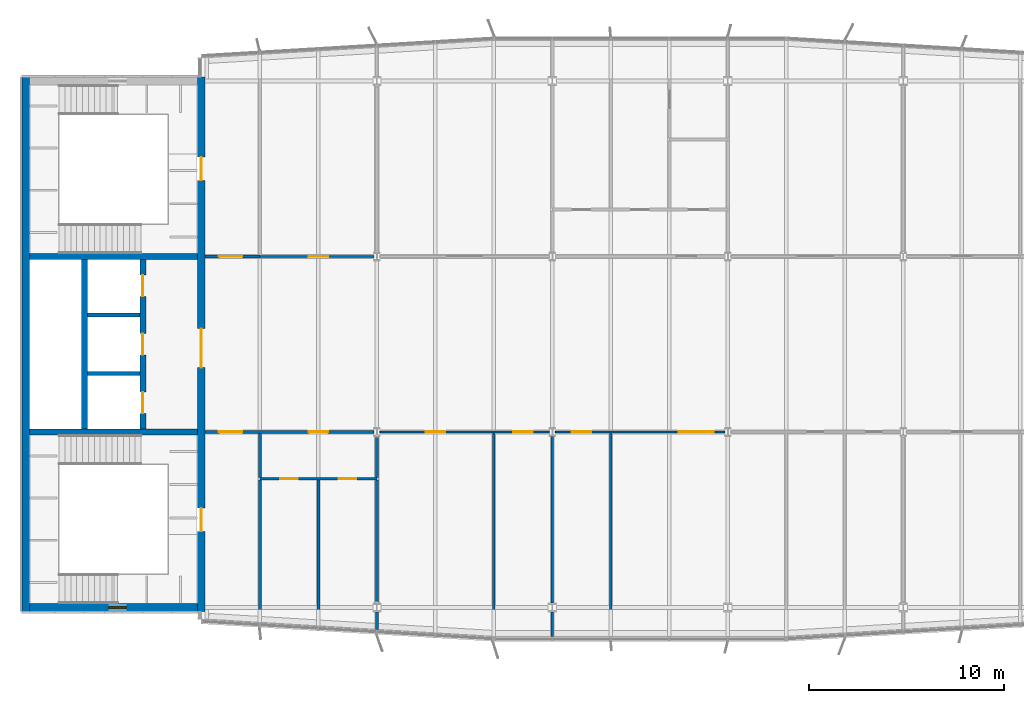
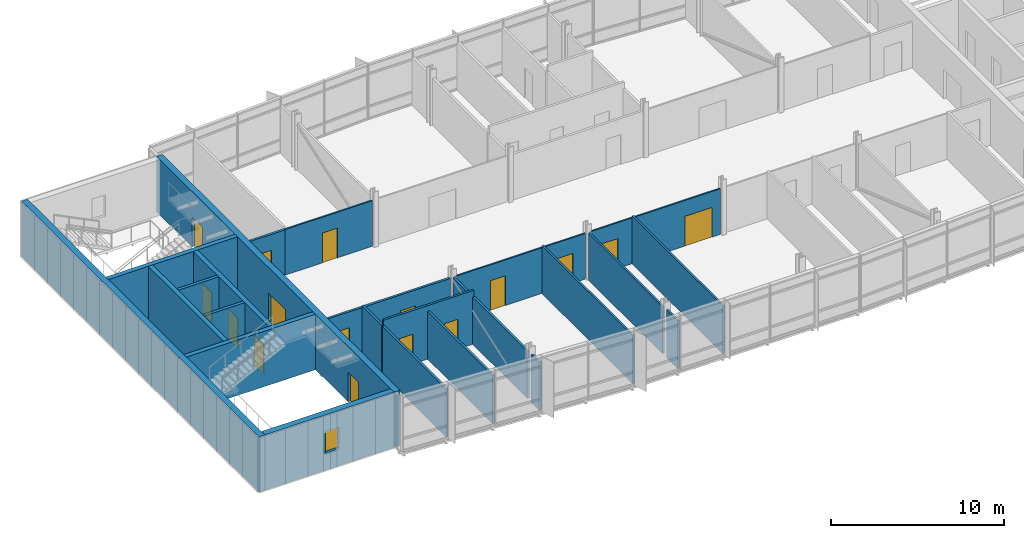
# One storey, part 16 of 21: 25 walls, 16 doors, 1 window, 17 openings.
"""IFC4 building model written with IfcOpenShell, lengths in metres."""

from ifc_helpers import new_model, si_unit, direction, frame, frame_2d, origin, place, context, subcontext, project, spatial, rectangle, extrude, material, layer, layer_set, type_object, element, fill, save


model = new_model("IFC4")

# Units and contexts
model_context = context("Model", 3, precision=1e-05, world=origin(), true_north=direction((0.0, 1.0)))
body_context = subcontext(model_context, "Body", "Model", "MODEL_VIEW")
ifc_project = project(units=[si_unit("LENGTHUNIT", "METRE"), si_unit("AREAUNIT", "SQUARE_METRE"), si_unit("VOLUMEUNIT", "CUBIC_METRE"), si_unit("PLANEANGLEUNIT", "RADIAN"), si_unit("MASSUNIT", "GRAM", prefix="KILO")], contexts=[model_context])

# Site, building, storey
site_placement = place(None, origin())
site = spatial("IfcSite", under=ifc_project, at=site_placement, CompositionType="ELEMENT")
building_placement = place(site_placement, origin())
building = spatial("IfcBuilding", under=site, at=building_placement, Name="Azimuth Sports and Learning Centre", CompositionType="ELEMENT")
storey_placement = place(building_placement, frame((0.0, 0.0, 48.0)))
storey = spatial("IfcBuildingStorey", under=building, at=storey_placement, Name="L10", CompositionType="ELEMENT", Elevation=48.0)

# Walls
ifc_material_1 = material(Name="Dense masonry blockwork", Category="masonry")
ifc_layer_1 = layer(ifc_material_1, 0.199951171875)
ifc_layer_set_1 = layer_set([ifc_layer_1], Name="Dense masonry blockwork")
wall_type_1 = type_object("IfcWallType", Name="Blockwork wall 200 EI 120", PredefinedType="SOLIDWALL", material=ifc_layer_set_1)
for number, where, z_axis, x_axis, name in (
    (1, (57.14990234375, 102.0, 0.0), (0.0, 0.0, 1.0), (1.0, 0.0, 0.0), "SD-W-1-L10"),
    (2, (57.14990234375, 105.0, 0.0), (0.0, 0.0, 1.0), (1.0, 0.0, 0.0), "SD-W-2-L10"),
):
    element("IfcWall", number, at=place(storey_placement, frame(where, z_axis=z_axis, x_axis=x_axis)), inside=storey, type_object=wall_type_1, Name=name, PredefinedType="SOLIDWALL", context=body_context, shape_type="SweptSolid", body=[
        extrude(rectangle(XDim=2.7001953125, YDim=0.199951171875, at=frame_2d((1.35009765625, 0.0))), origin(), (0.0, 0.0, 1.0), 3.89990234375),
    ])

# Wall, openings, doors
ifc_material_2 = material(Name="Gypsum board on steel studs", Category="steel")
ifc_layer_2 = layer(ifc_material_2, 0.10009765625)
ifc_layer_set_2 = layer_set([ifc_layer_2], Name="Gypsum board on steel studs")
wall_type_2 = type_object("IfcWallType", Name="Partition 100 EI 30", PredefinedType="PARTITIONING", material=ifc_layer_set_2)
wall_1_placement = place(storey_placement, frame((72.153564453125, 99.0, 0.0), z_axis=(0.0, 0.0, 1.0), x_axis=(1.0, 0.0, 0.0)))
wall_1 = element("IfcWall", 3, at=wall_1_placement, inside=storey, type_object=wall_type_2, Name="Partition Music Room 10.10 / Practice Room 10.11", PredefinedType="PARTITIONING", context=body_context, shape_type="SweptSolid", body=[
    extrude(rectangle(XDim=8.69287109375, YDim=0.10009765625, at=frame_2d((4.346435546875, 0.0))), origin(), (0.0, 0.0, 1.0), 3.219970703125),
])
opening_1_placement = place(wall_1_placement, frame((2.346435546875, 0.0, 0.0)))
opening_1 = element("IfcOpeningElement", 4, at=opening_1_placement, cuts=wall_1, Name="Opening D10-016", PredefinedType="OPENING", context=body_context, shape_type="SweptSolid", body=[
    extrude(rectangle(XDim=1.0, YDim=2.10009765625, at=frame_2d((0.5, 1.050048828125))), frame((0.0, 0.06103515625, 0.0), z_axis=(0.0, -1.0, 0.0), x_axis=(1.0, 0.0, 0.0)), (0.0, 0.0, 1.0), 0.1220703125),
])
opening_2_placement = place(wall_1_placement, frame((6.846435546875, 0.0, 0.0)))
opening_2 = element("IfcOpeningElement", 5, at=opening_2_placement, cuts=wall_1, Name="Opening D10-017", PredefinedType="OPENING", context=body_context, shape_type="SweptSolid", body=[
    extrude(rectangle(XDim=1.0, YDim=2.10009765625, at=frame_2d((0.5, 1.050048828125))), frame((0.0, 0.06103515625, 0.0), z_axis=(0.0, -1.0, 0.0), x_axis=(1.0, 0.0, 0.0)), (0.0, 0.0, 1.0), 0.1220703125),
])
ifc_material_3 = material(Name="Painted steel door set", Category="steel")
door_type_1 = type_object("IfcDoorType", Name="Fire door FD30S 1000 x 2100", OperationType="NOTDEFINED", PredefinedType="DOOR", material=ifc_material_3)
door_1_placement = place(opening_1_placement, frame((1.0, 0.0, 0.0), z_axis=(0.0, 0.0, 1.0), x_axis=(-1.0, 0.0, 0.0)))
door_1 = element("IfcDoor", 6, at=door_1_placement, inside=storey, type_object=door_type_1, Name="Door Music Room 10.10 / Learning Street", OperationType="SINGLE_SWING_RIGHT", OverallHeight=2.10009765625, OverallWidth=1.0, PredefinedType="DOOR", context=body_context, shape_type="SweptSolid", body=[
    extrude(rectangle(XDim=1.0, YDim=2.10009765625, at=frame_2d((0.5, 1.050048828125))), frame((0.0, 0.02490234375, 0.0), z_axis=(0.0, -1.0, 0.0), x_axis=(1.0, 0.0, 0.0)), (0.0, 0.0, 1.0), 0.050048828125),
])
fill(opening_1, door_1)
door_2_placement = place(opening_2_placement, frame((1.0, 0.0, 0.0), z_axis=(0.0, 0.0, 1.0), x_axis=(-1.0, 0.0, 0.0)))
door_2 = element("IfcDoor", 7, at=door_2_placement, inside=storey, type_object=door_type_1, Name="Door Practice Room 10.11 / Learning Street", OperationType="SINGLE_SWING_LEFT", OverallHeight=2.10009765625, OverallWidth=1.0, PredefinedType="DOOR", context=body_context, shape_type="SweptSolid", body=[
    extrude(rectangle(XDim=1.0, YDim=2.10009765625, at=frame_2d((0.5, 1.050048828125))), frame((0.0, 0.02490234375, 0.0), z_axis=(0.0, -1.0, 0.0), x_axis=(1.0, 0.0, 0.0)), (0.0, 0.0, 1.0), 0.050048828125),
])
fill(opening_2, door_2)

wall_2_placement = place(storey_placement, frame((81.153564453125, 99.0, 0.0), z_axis=(0.0, 0.0, 1.0), x_axis=(1.0, 0.0, 0.0)))
wall_2 = element("IfcWall", 8, at=wall_2_placement, inside=storey, type_object=wall_type_2, Name="Partition Music Room 10.10 / Practice Room 10.11", PredefinedType="PARTITIONING", context=body_context, shape_type="SweptSolid", body=[
    extrude(rectangle(XDim=8.69287109375, YDim=0.10009765625, at=frame_2d((4.346435546875, 0.0))), origin(), (0.0, 0.0, 1.0), 3.219970703125),
])
opening_3_placement = place(wall_2_placement, frame((0.846435546875, 0.0, 0.0)))
opening_3 = element("IfcOpeningElement", 9, at=opening_3_placement, cuts=wall_2, Name="Opening D10-018", PredefinedType="OPENING", context=body_context, shape_type="SweptSolid", body=[
    extrude(rectangle(XDim=1.0, YDim=2.10009765625, at=frame_2d((0.5, 1.050048828125))), frame((0.0, 0.06103515625, 0.0), z_axis=(0.0, -1.0, 0.0), x_axis=(1.0, 0.0, 0.0)), (0.0, 0.0, 1.0), 0.1220703125),
])
opening_4_placement = place(wall_2_placement, frame((6.321533203125, 0.0, 0.0)))
opening_4 = element("IfcOpeningElement", 10, at=opening_4_placement, cuts=wall_2, Name="Opening D10-019", PredefinedType="OPENING", context=body_context, shape_type="SweptSolid", body=[
    extrude(rectangle(XDim=1.800048828125, YDim=2.10009765625, at=frame_2d((0.89990234375, 1.050048828125))), frame((0.0, 0.06103515625, 0.0), z_axis=(0.0, -1.0, 0.0), x_axis=(1.0, 0.0, 0.0)), (0.0, 0.0, 1.0), 0.1220703125),
])
door_3_placement = place(opening_3_placement, frame((1.0, 0.0, 0.0), z_axis=(0.0, 0.0, 1.0), x_axis=(-1.0, 0.0, 0.0)))
door_3 = element("IfcDoor", 11, at=door_3_placement, inside=storey, type_object=door_type_1, Name="Door Practice Room 10.12 / Learning Street", OperationType="SINGLE_SWING_RIGHT", OverallHeight=2.10009765625, OverallWidth=1.0, PredefinedType="DOOR", context=body_context, shape_type="SweptSolid", body=[
    extrude(rectangle(XDim=1.0, YDim=2.10009765625, at=frame_2d((0.5, 1.050048828125))), frame((0.0, 0.02490234375, 0.0), z_axis=(0.0, -1.0, 0.0), x_axis=(1.0, 0.0, 0.0)), (0.0, 0.0, 1.0), 0.050048828125),
])
fill(opening_3, door_3)
ifc_material_4 = material(Name="Painted steel door set", Category="steel")
door_type_2 = type_object("IfcDoorType", Name="Fire door FD30S 1800 x 2100 double leaf", OperationType="DOUBLE_DOOR_SINGLE_SWING", PredefinedType="DOOR", material=ifc_material_4)
door_4_placement = place(opening_4_placement, frame((1.800048828125, 0.0, 0.0), z_axis=(0.0, 0.0, 1.0), x_axis=(-1.0, 0.0, 0.0)))
door_4 = element("IfcDoor", 12, at=door_4_placement, inside=storey, type_object=door_type_2, Name="Door Drama Studio 10.13 / Learning Street", OperationType="DOUBLE_DOOR_SINGLE_SWING", OverallHeight=2.10009765625, OverallWidth=1.800048828125, PredefinedType="DOOR", context=body_context, shape_type="SweptSolid", body=[
    extrude(rectangle(XDim=1.800048828125, YDim=2.10009765625, at=frame_2d((0.89990234375, 1.050048828125))), frame((0.0, 0.02490234375, 0.0), z_axis=(0.0, -1.0, 0.0), x_axis=(1.0, 0.0, 0.0)), (0.0, 0.0, 1.0), 0.050048828125),
])
fill(opening_4, door_4)

# Wall, opening, door
wall_3_placement = place(storey_placement, frame((66.0, 108.0, 0.0), z_axis=(0.0, 0.0, 1.0), x_axis=(1.0, 0.0, 0.0)))
wall_3 = element("IfcWall", 13, at=wall_3_placement, inside=storey, type_object=wall_type_2, Name="Partition Classroom 10.17 / Music Technology Studio 10.18", PredefinedType="PARTITIONING", context=body_context, shape_type="SweptSolid", body=[
    extrude(rectangle(XDim=5.846435546875, YDim=0.10009765625, at=frame_2d((2.92333984375, 0.0))), origin(), (0.0, 0.0, 1.0), 3.219970703125),
])
opening_5_placement = place(wall_3_placement, frame((2.5, 0.0, 0.0)))
opening_5 = element("IfcOpeningElement", 14, at=opening_5_placement, cuts=wall_3, Name="Opening D10-023", PredefinedType="OPENING", context=body_context, shape_type="SweptSolid", body=[
    extrude(rectangle(XDim=1.0, YDim=2.10009765625, at=frame_2d((0.5, 1.050048828125))), frame((0.0, 0.06103515625, 0.0), z_axis=(0.0, -1.0, 0.0), x_axis=(1.0, 0.0, 0.0)), (0.0, 0.0, 1.0), 0.1220703125),
])
door_5_placement = place(opening_5_placement, origin())
door_5 = element("IfcDoor", 15, at=door_5_placement, inside=storey, type_object=door_type_1, Name="Door Classroom 10.17 / Learning Street", OperationType="SINGLE_SWING_RIGHT", OverallHeight=2.10009765625, OverallWidth=1.0, PredefinedType="DOOR", context=body_context, shape_type="SweptSolid", body=[
    extrude(rectangle(XDim=1.0, YDim=2.10009765625, at=frame_2d((0.5, 1.050048828125))), frame((0.0, 0.02490234375, 0.0), z_axis=(0.0, -1.0, 0.0), x_axis=(1.0, 0.0, 0.0)), (0.0, 0.0, 1.0), 0.050048828125),
])
fill(opening_5, door_5)

# Walls
ifc_material_5 = material(Name="Gypsum board on steel studs, acoustic", Category="steel")
ifc_layer_3 = layer(ifc_material_5, 0.125)
ifc_layer_set_3 = layer_set([ifc_layer_3], Name="Gypsum board on steel studs, acoustic")
wall_type_3 = type_object("IfcWallType", Name="Partition 125 EI 60", PredefinedType="PARTITIONING", material=ifc_layer_set_3)
wall_4_placement = place(storey_placement, frame((78.0, 88.5, 0.0), z_axis=(0.0, 0.0, 1.0), x_axis=(0.0, 1.0, 0.0)))
element("IfcWall", 16, at=wall_4_placement, inside=storey, type_object=wall_type_3, Name="Partition Music Room 10.10 / Practice Room 10.11", PredefinedType="PARTITIONING", context=body_context, shape_type="SweptSolid", body=[
    extrude(rectangle(XDim=10.449951171875, YDim=0.125, at=frame_2d((5.22509765625, 0.0))), origin(), (0.0, 0.0, 1.0), 3.3701171875),
])
wall_5_placement = place(storey_placement, frame((81.0, 88.5, 0.0), z_axis=(0.0, 0.0, 1.0), x_axis=(0.0, 1.0, 0.0)))
element("IfcWall", 17, at=wall_5_placement, inside=storey, type_object=wall_type_3, Name="Partition Practice Room 10.11 / Practice Room 10.12", PredefinedType="PARTITIONING", context=body_context, shape_type="SweptSolid", body=[
    extrude(rectangle(XDim=1.2724609375, YDim=0.125, at=frame_2d((0.63623046875, 0.0))), origin(), (0.0, 0.0, 1.0), 3.3701171875),
])
wall_6_placement = place(storey_placement, frame((81.0, 90.2275390625, 0.0), z_axis=(0.0, 0.0, 1.0), x_axis=(0.0, 1.0, 0.0)))
element("IfcWall", 18, at=wall_6_placement, inside=storey, type_object=wall_type_3, Name="Partition Practice Room 10.11 / Practice Room 10.12", PredefinedType="PARTITIONING", context=body_context, shape_type="SweptSolid", body=[
    extrude(rectangle(XDim=8.556396484375, YDim=0.125, at=frame_2d((4.2783203125, 0.0))), origin(), (0.0, 0.0, 1.0), 3.320068359375),
])
wall_7_placement = place(storey_placement, frame((84.0, 88.5, 0.0), z_axis=(0.0, 0.0, 1.0), x_axis=(0.0, 1.0, 0.0)))
element("IfcWall", 19, at=wall_7_placement, inside=storey, type_object=wall_type_3, Name="Partition Practice Room 10.12 / Drama Studio 10.13", PredefinedType="PARTITIONING", context=body_context, shape_type="SweptSolid", body=[
    extrude(rectangle(XDim=10.449951171875, YDim=0.125, at=frame_2d((5.22509765625, 0.0))), origin(), (0.0, 0.0, 1.0), 3.3701171875),
])

# Wall, openings, doors
ifc_material_6 = material(Name="Lightweight blockwork, rendered", Category="masonry")
ifc_layer_4 = layer(ifc_material_6, 0.14990234375)
ifc_layer_set_4 = layer_set([ifc_layer_4], Name="Lightweight blockwork, rendered")
wall_type_4 = type_object("IfcWallType", Name="Partition 150 EI 60", PredefinedType="PARTITIONING", material=ifc_layer_set_4)
wall_8_placement = place(storey_placement, frame((66.0, 96.60009765625, 0.0), z_axis=(0.0, 0.0, 1.0), x_axis=(1.0, 0.0, 0.0)))
wall_8 = element("IfcWall", 20, at=wall_8_placement, inside=storey, type_object=wall_type_4, Name="Partition WC Lobby 10.07 / Men WC 10.08", PredefinedType="PARTITIONING", context=body_context, shape_type="SweptSolid", body=[
    extrude(rectangle(XDim=6.0, YDim=0.14990234375, at=frame_2d((3.0, 0.0))), origin(), (0.0, 0.0, 1.0), 3.77001953125),
])
opening_6_placement = place(wall_8_placement, frame((1.050048828125, 0.0, 0.0)))
opening_6 = element("IfcOpeningElement", 21, at=opening_6_placement, cuts=wall_8, Name="Opening D10-028", PredefinedType="OPENING", context=body_context, shape_type="SweptSolid", body=[
    extrude(rectangle(XDim=0.89990234375, YDim=2.10009765625, at=frame_2d((0.449951171875, 1.050048828125))), frame((0.0, 0.0859375, 0.0), z_axis=(0.0, -1.0, 0.0), x_axis=(1.0, 0.0, 0.0)), (0.0, 0.0, 1.0), 0.171875),
])
opening_7_placement = place(wall_8_placement, frame((4.050048828125, 0.0, 0.0)))
opening_7 = element("IfcOpeningElement", 22, at=opening_7_placement, cuts=wall_8, Name="Opening D10-029", PredefinedType="OPENING", context=body_context, shape_type="SweptSolid", body=[
    extrude(rectangle(XDim=0.89990234375, YDim=2.10009765625, at=frame_2d((0.449951171875, 1.050048828125))), frame((0.0, 0.0859375, 0.0), z_axis=(0.0, -1.0, 0.0), x_axis=(1.0, 0.0, 0.0)), (0.0, 0.0, 1.0), 0.171875),
])
ifc_material_7 = material(Name="Painted steel door set", Category="steel")
door_type_3 = type_object("IfcDoorType", Name="Fire door FD60 900 x 2100", OperationType="NOTDEFINED", PredefinedType="DOOR", material=ifc_material_7)
door_6_placement = place(opening_6_placement, origin())
door_6 = element("IfcDoor", 23, at=door_6_placement, inside=storey, type_object=door_type_3, Name="Door WC Lobby 10.07 / Men WC 10.08", OperationType="SINGLE_SWING_LEFT", OverallHeight=2.10009765625, OverallWidth=0.89990234375, PredefinedType="DOOR", context=body_context, shape_type="SweptSolid", body=[
    extrude(rectangle(XDim=0.89990234375, YDim=2.10009765625, at=frame_2d((0.449951171875, 1.050048828125))), frame((0.0, 0.02490234375, 0.0), z_axis=(0.0, -1.0, 0.0), x_axis=(1.0, 0.0, 0.0)), (0.0, 0.0, 1.0), 0.050048828125),
])
fill(opening_6, door_6)
door_7_placement = place(opening_7_placement, origin())
door_7 = element("IfcDoor", 24, at=door_7_placement, inside=storey, type_object=door_type_3, Name="Door WC Lobby 10.07 / Women WC 10.09", OperationType="SINGLE_SWING_RIGHT", OverallHeight=2.10009765625, OverallWidth=0.89990234375, PredefinedType="DOOR", context=body_context, shape_type="SweptSolid", body=[
    extrude(rectangle(XDim=0.89990234375, YDim=2.10009765625, at=frame_2d((0.449951171875, 1.050048828125))), frame((0.0, 0.02490234375, 0.0), z_axis=(0.0, -1.0, 0.0), x_axis=(1.0, 0.0, 0.0)), (0.0, 0.0, 1.0), 0.050048828125),
])
fill(opening_7, door_7)

wall_9_placement = place(storey_placement, frame((63.199951171875, 99.0, 0.0), z_axis=(0.0, 0.0, 1.0), x_axis=(1.0, 0.0, 0.0)))
wall_9 = element("IfcWall", 25, at=wall_9_placement, inside=storey, type_object=wall_type_4, Name="Partition Stair Lobby W1 10.01 / WC Lobby 10.07", PredefinedType="PARTITIONING", context=body_context, shape_type="SweptSolid", body=[
    extrude(rectangle(XDim=8.646484375, YDim=0.14990234375, at=frame_2d((4.3232421875, 0.0))), origin(), (0.0, 0.0, 1.0), 3.219970703125),
])
opening_8_placement = place(wall_9_placement, frame((0.699951171875, 0.0, 0.0)))
opening_8 = element("IfcOpeningElement", 26, at=opening_8_placement, cuts=wall_9, Name="Opening D10-011", PredefinedType="OPENING", context=body_context, shape_type="SweptSolid", body=[
    extrude(rectangle(XDim=1.199951171875, YDim=2.10009765625, at=frame_2d((0.60009765625, 1.050048828125))), frame((0.0, 0.0859375, 0.0), z_axis=(0.0, -1.0, 0.0), x_axis=(1.0, 0.0, 0.0)), (0.0, 0.0, 1.0), 0.171875),
])
opening_9_placement = place(wall_9_placement, frame((5.300048828125, 0.0, 0.0)))
opening_9 = element("IfcOpeningElement", 27, at=opening_9_placement, cuts=wall_9, Name="Opening D10-015", PredefinedType="OPENING", context=body_context, shape_type="SweptSolid", body=[
    extrude(rectangle(XDim=1.0, YDim=2.10009765625, at=frame_2d((0.5, 1.050048828125))), frame((0.0, 0.0859375, 0.0), z_axis=(0.0, -1.0, 0.0), x_axis=(1.0, 0.0, 0.0)), (0.0, 0.0, 1.0), 0.171875),
])
ifc_material_8 = material(Name="Painted steel door set", Category="steel")
door_type_4 = type_object("IfcDoorType", Name="Fire door FD60 1000 x 2100", OperationType="NOTDEFINED", PredefinedType="DOOR", material=ifc_material_8)
door_8_placement = place(opening_9_placement, frame((1.0, 0.0, 0.0), z_axis=(0.0, 0.0, 1.0), x_axis=(-1.0, 0.0, 0.0)))
door_8 = element("IfcDoor", 28, at=door_8_placement, inside=storey, type_object=door_type_4, Name="Door WC Lobby 10.07 / Learning Street", OperationType="SINGLE_SWING_LEFT", OverallHeight=2.10009765625, OverallWidth=1.0, PredefinedType="DOOR", context=body_context, shape_type="SweptSolid", body=[
    extrude(rectangle(XDim=1.0, YDim=2.10009765625, at=frame_2d((0.5, 1.050048828125))), frame((0.0, 0.02490234375, 0.0), z_axis=(0.0, -1.0, 0.0), x_axis=(1.0, 0.0, 0.0)), (0.0, 0.0, 1.0), 0.050048828125),
])
fill(opening_9, door_8)
ifc_material_9 = material(Name="Painted steel door set", Category="steel")
door_type_5 = type_object("IfcDoorType", Name="Fire door FD60 1200 x 2100", OperationType="NOTDEFINED", PredefinedType="DOOR", material=ifc_material_9)
door_9_placement = place(opening_8_placement, frame((1.199951171875, 0.0, 0.0), z_axis=(0.0, 0.0, 1.0), x_axis=(-1.0, 0.0, 0.0)))
door_9 = element("IfcDoor", 29, at=door_9_placement, inside=storey, type_object=door_type_5, Name="Door Stair Lobby W1 10.01 / Learning Street", OperationType="SINGLE_SWING_RIGHT", OverallHeight=2.10009765625, OverallWidth=1.199951171875, PredefinedType="DOOR", context=body_context, shape_type="SweptSolid", body=[
    extrude(rectangle(XDim=1.199951171875, YDim=2.10009765625, at=frame_2d((0.60009765625, 1.050048828125))), frame((0.0, 0.02490234375, 0.0), z_axis=(0.0, -1.0, 0.0), x_axis=(1.0, 0.0, 0.0)), (0.0, 0.0, 1.0), 0.050048828125),
])
fill(opening_8, door_9)

# Wall, opening, door
wall_10_placement = place(storey_placement, frame((63.199951171875, 108.0, 0.0), z_axis=(0.0, 0.0, 1.0), x_axis=(1.0, 0.0, 0.0)))
wall_10 = element("IfcWall", 30, at=wall_10_placement, inside=storey, type_object=wall_type_4, Name="Partition Stair Lobby W2 10.02 / Learning Street", PredefinedType="PARTITIONING", context=body_context, shape_type="SweptSolid", body=[
    extrude(rectangle(XDim=2.800048828125, YDim=0.14990234375, at=frame_2d((1.39990234375, 0.0))), origin(), (0.0, 0.0, 1.0), 3.219970703125),
])
opening_10_placement = place(wall_10_placement, frame((0.699951171875, 0.0, 0.0)))
opening_10 = element("IfcOpeningElement", 31, at=opening_10_placement, cuts=wall_10, Name="Opening D10-012", PredefinedType="OPENING", context=body_context, shape_type="SweptSolid", body=[
    extrude(rectangle(XDim=1.199951171875, YDim=2.10009765625, at=frame_2d((0.60009765625, 1.050048828125))), frame((0.0, 0.0859375, 0.0), z_axis=(0.0, -1.0, 0.0), x_axis=(1.0, 0.0, 0.0)), (0.0, 0.0, 1.0), 0.171875),
])
door_10_placement = place(opening_10_placement, origin())
door_10 = element("IfcDoor", 32, at=door_10_placement, inside=storey, type_object=door_type_5, Name="Door Stair Lobby W2 10.02 / Learning Street", OperationType="SINGLE_SWING_LEFT", OverallHeight=2.10009765625, OverallWidth=1.199951171875, PredefinedType="DOOR", context=body_context, shape_type="SweptSolid", body=[
    extrude(rectangle(XDim=1.199951171875, YDim=2.10009765625, at=frame_2d((0.60009765625, 1.050048828125))), frame((0.0, 0.02490234375, 0.0), z_axis=(0.0, -1.0, 0.0), x_axis=(1.0, 0.0, 0.0)), (0.0, 0.0, 1.0), 0.050048828125),
])
fill(opening_10, door_10)

# Walls
wall_11_placement = place(storey_placement, frame((66.0, 89.219970703125, 0.0), z_axis=(0.0, 0.0, 1.0), x_axis=(0.0, 1.0, 0.0)))
element("IfcWall", 33, at=wall_11_placement, inside=storey, type_object=wall_type_4, Name="Partition Stair Lobby W1 10.01 / WC Lobby 10.07", PredefinedType="PARTITIONING", context=body_context, shape_type="SweptSolid", body=[
    extrude(rectangle(XDim=7.304931640625, YDim=0.14990234375, at=frame_2d((3.65234375, 0.0))), origin(), (0.0, 0.0, 1.0), 3.3701171875),
])
wall_12_placement = place(storey_placement, frame((66.0, 96.675048828125, 0.0), z_axis=(0.0, 0.0, 1.0), x_axis=(0.0, 1.0, 0.0)))
element("IfcWall", 34, at=wall_12_placement, inside=storey, type_object=wall_type_4, Name="Partition Stair Lobby W1 10.01 / WC Lobby 10.07", PredefinedType="PARTITIONING", context=body_context, shape_type="SweptSolid", body=[
    extrude(rectangle(XDim=2.25, YDim=0.14990234375, at=frame_2d((1.125, 0.0))), origin(), (0.0, 0.0, 1.0), 3.3701171875),
])
wall_13_placement = place(storey_placement, frame((69.0, 89.0400390625, 0.0), z_axis=(0.0, 0.0, 1.0), x_axis=(0.0, 1.0, 0.0)))
element("IfcWall", 35, at=wall_13_placement, inside=storey, type_object=wall_type_4, Name="Partition Men WC 10.08 / Women WC 10.09", PredefinedType="PARTITIONING", context=body_context, shape_type="SweptSolid", body=[
    extrude(rectangle(XDim=7.48486328125, YDim=0.14990234375, at=frame_2d((3.742431640625, 0.0))), origin(), (0.0, 0.0, 1.0), 3.3701171875),
])
wall_14_placement = place(storey_placement, frame((72.0, 88.860107421875, 0.0), z_axis=(0.0, 0.0, 1.0), x_axis=(0.0, 1.0, 0.0)))
element("IfcWall", 36, at=wall_14_placement, inside=storey, type_object=wall_type_4, Name="Partition WC Lobby 10.07 / Women WC 10.09", PredefinedType="PARTITIONING", context=body_context, shape_type="SweptSolid", body=[
    extrude(rectangle(XDim=0.912353515625, YDim=0.14990234375, at=frame_2d((0.4560546875, 0.0))), origin(), (0.0, 0.0, 1.0), 3.3701171875),
])
wall_15_placement = place(storey_placement, frame((72.0, 90.2275390625, 0.0), z_axis=(0.0, 0.0, 1.0), x_axis=(0.0, 1.0, 0.0)))
element("IfcWall", 37, at=wall_15_placement, inside=storey, type_object=wall_type_4, Name="Partition WC Lobby 10.07 / Women WC 10.09", PredefinedType="PARTITIONING", context=body_context, shape_type="SweptSolid", body=[
    extrude(rectangle(XDim=6.29736328125, YDim=0.14990234375, at=frame_2d((3.148681640625, 0.0))), origin(), (0.0, 0.0, 1.0), 3.320068359375),
])
wall_16_placement = place(storey_placement, frame((72.0, 96.675048828125, 0.0), z_axis=(0.0, 0.0, 1.0), x_axis=(0.0, 1.0, 0.0)))
element("IfcWall", 38, at=wall_16_placement, inside=storey, type_object=wall_type_4, Name="Partition WC Lobby 10.07 / Women WC 10.09", PredefinedType="PARTITIONING", context=body_context, shape_type="SweptSolid", body=[
    extrude(rectangle(XDim=2.10888671875, YDim=0.14990234375, at=frame_2d((1.054443359375, 0.0))), origin(), (0.0, 0.0, 1.0), 3.320068359375),
])
ifc_material_10 = material(Name="Concrete C40/50", Category="concrete")
ifc_layer_5 = layer(ifc_material_10, 0.300048828125)
ifc_layer_set_5 = layer_set([ifc_layer_5], Name="Concrete C40/50")
wall_type_5 = type_object("IfcWallType", Name="RC core wall 300", PredefinedType="SHEAR", material=ifc_layer_set_5)
for number, where, z_axis, x_axis, name in (
    (39, (54.199951171875, 99.0, 0.0), (0.0, 0.0, 1.0), (1.0, 0.0, 0.0), "Core wall W D1 L10"),
    (40, (54.199951171875, 108.0, 0.0), (0.0, 0.0, 1.0), (1.0, 0.0, 0.0), "Core wall W D2 L10"),
):
    element("IfcWall", number, at=place(storey_placement, frame(where, z_axis=z_axis, x_axis=x_axis)), inside=storey, type_object=wall_type_5, Name=name, PredefinedType="SHEAR", context=body_context, shape_type="SweptSolid", body=[
        extrude(rectangle(XDim=8.60009765625, YDim=0.300048828125, at=frame_2d((4.300048828125, 0.0))), origin(), (0.0, 0.0, 1.0), 3.89990234375),
    ])
wall_17_placement = place(storey_placement, frame((57.0, 99.14990234375, 0.0), z_axis=(0.0, 0.0, 1.0), x_axis=(0.0, 1.0, 0.0)))
element("IfcWall", 41, at=wall_17_placement, inside=storey, type_object=wall_type_5, Name="Core wall W LB1 L10", PredefinedType="SHEAR", context=body_context, shape_type="SweptSolid", body=[
    extrude(rectangle(XDim=8.7001953125, YDim=0.300048828125, at=frame_2d((4.35009765625, 0.0))), origin(), (0.0, 0.0, 1.0), 3.89990234375),
])

# Wall, openings, doors
wall_18_placement = place(storey_placement, frame((60.0, 99.14990234375, 0.0), z_axis=(0.0, 0.0, 1.0), x_axis=(0.0, 1.0, 0.0)))
wall_18 = element("IfcWall", 42, at=wall_18_placement, inside=storey, type_object=wall_type_5, Name="Core wall W LB2 L10", PredefinedType="SHEAR", context=body_context, shape_type="SweptSolid", body=[
    extrude(rectangle(XDim=8.7001953125, YDim=0.300048828125, at=frame_2d((4.35009765625, 0.0))), origin(), (0.0, 0.0, 1.0), 3.89990234375),
])
opening_11_placement = place(wall_18_placement, frame((0.800048828125, 0.0, 0.0)))
opening_11 = element("IfcOpeningElement", 43, at=opening_11_placement, cuts=wall_18, Name="Opening D10-005", PredefinedType="OPENING", context=body_context, shape_type="SweptSolid", body=[
    extrude(rectangle(XDim=1.10009765625, YDim=2.10009765625, at=frame_2d((0.550048828125, 1.050048828125))), frame((0.0, 0.1611328125, 0.0), z_axis=(0.0, -1.0, 0.0), x_axis=(1.0, 0.0, 0.0)), (0.0, 0.0, 1.0), 0.322021484375),
])
opening_12_placement = place(wall_18_placement, frame((3.800048828125, 0.0, 0.0)))
opening_12 = element("IfcOpeningElement", 44, at=opening_12_placement, cuts=wall_18, Name="Opening D10-006", PredefinedType="OPENING", context=body_context, shape_type="SweptSolid", body=[
    extrude(rectangle(XDim=1.10009765625, YDim=2.10009765625, at=frame_2d((0.550048828125, 1.050048828125))), frame((0.0, 0.1611328125, 0.0), z_axis=(0.0, -1.0, 0.0), x_axis=(1.0, 0.0, 0.0)), (0.0, 0.0, 1.0), 0.322021484375),
])
opening_13_placement = place(wall_18_placement, frame((6.800048828125, 0.0, 0.0)))
opening_13 = element("IfcOpeningElement", 45, at=opening_13_placement, cuts=wall_18, Name="Opening D10-007", PredefinedType="OPENING", context=body_context, shape_type="SweptSolid", body=[
    extrude(rectangle(XDim=1.10009765625, YDim=2.10009765625, at=frame_2d((0.550048828125, 1.050048828125))), frame((0.0, 0.1611328125, 0.0), z_axis=(0.0, -1.0, 0.0), x_axis=(1.0, 0.0, 0.0)), (0.0, 0.0, 1.0), 0.322021484375),
])
ifc_material_11 = material(Name="Stainless steel", Category="steel")
door_type_6 = type_object("IfcDoorType", Name="Lift landing door 1100 x 2100", OperationType="DOUBLE_DOOR_SLIDING", PredefinedType="DOOR", material=ifc_material_11)
door_11_placement = place(opening_11_placement, origin())
door_11 = element("IfcDoor", 46, at=door_11_placement, inside=storey, type_object=door_type_6, Name="Landing door LW1 L10", OperationType="DOUBLE_DOOR_SLIDING", OverallHeight=2.10009765625, OverallWidth=1.10009765625, PredefinedType="DOOR", context=body_context, shape_type="SweptSolid", body=[
    extrude(rectangle(XDim=1.10009765625, YDim=2.10009765625, at=frame_2d((0.550048828125, 1.050048828125))), frame((0.0, 0.02490234375, 0.0), z_axis=(0.0, -1.0, 0.0), x_axis=(1.0, 0.0, 0.0)), (0.0, 0.0, 1.0), 0.050048828125),
])
fill(opening_11, door_11)
door_12_placement = place(opening_12_placement, origin())
door_12 = element("IfcDoor", 47, at=door_12_placement, inside=storey, type_object=door_type_6, Name="Landing door LW2 L10", OperationType="DOUBLE_DOOR_SLIDING", OverallHeight=2.10009765625, OverallWidth=1.10009765625, PredefinedType="DOOR", context=body_context, shape_type="SweptSolid", body=[
    extrude(rectangle(XDim=1.10009765625, YDim=2.10009765625, at=frame_2d((0.550048828125, 1.050048828125))), frame((0.0, 0.02490234375, 0.0), z_axis=(0.0, -1.0, 0.0), x_axis=(1.0, 0.0, 0.0)), (0.0, 0.0, 1.0), 0.050048828125),
])
fill(opening_12, door_12)
door_13_placement = place(opening_13_placement, origin())
door_13 = element("IfcDoor", 48, at=door_13_placement, inside=storey, type_object=door_type_6, Name="Landing door LW3 L10", OperationType="DOUBLE_DOOR_SLIDING", OverallHeight=2.10009765625, OverallWidth=1.10009765625, PredefinedType="DOOR", context=body_context, shape_type="SweptSolid", body=[
    extrude(rectangle(XDim=1.10009765625, YDim=2.10009765625, at=frame_2d((0.550048828125, 1.050048828125))), frame((0.0, 0.02490234375, 0.0), z_axis=(0.0, -1.0, 0.0), x_axis=(1.0, 0.0, 0.0)), (0.0, 0.0, 1.0), 0.050048828125),
])
fill(opening_13, door_13)

ifc_material_12 = material(Name="Concrete C40/50", Category="concrete")
ifc_layer_6 = layer(ifc_material_12, 0.39990234375)
ifc_layer_set_6 = layer_set([ifc_layer_6], Name="Concrete C40/50")
wall_type_6 = type_object("IfcWallType", Name="RC core wall 400", PredefinedType="SHEAR", material=ifc_layer_set_6)
wall_19_placement = place(storey_placement, frame((63.0, 89.800048828125, 0.0), z_axis=(0.0, 0.0, 1.0), x_axis=(0.0, 1.0, 0.0)))
wall_19 = element("IfcWall", 49, at=wall_19_placement, inside=storey, type_object=wall_type_6, Name="Core wall W E L10", PredefinedType="SHEAR", context=body_context, shape_type="SweptSolid", body=[
    extrude(rectangle(XDim=27.39990234375, YDim=0.39990234375, at=frame_2d((13.699951171875, 0.0))), origin(), (0.0, 0.0, 1.0), 3.89990234375),
])
opening_14_placement = place(wall_19_placement, frame((4.10009765625, 0.0, 0.0)))
opening_14 = element("IfcOpeningElement", 50, at=opening_14_placement, cuts=wall_19, Name="Opening D10-001", PredefinedType="OPENING", context=body_context, shape_type="SweptSolid", body=[
    extrude(rectangle(XDim=1.199951171875, YDim=2.10009765625, at=frame_2d((0.60009765625, 1.050048828125))), frame((0.0, 0.2109375, 0.0), z_axis=(0.0, -1.0, 0.0), x_axis=(1.0, 0.0, 0.0)), (0.0, 0.0, 1.0), 0.421875),
])
opening_15_placement = place(wall_19_placement, frame((22.10009765625, 0.0, 0.0)))
opening_15 = element("IfcOpeningElement", 51, at=opening_15_placement, cuts=wall_19, Name="Opening D10-002", PredefinedType="OPENING", context=body_context, shape_type="SweptSolid", body=[
    extrude(rectangle(XDim=1.199951171875, YDim=2.10009765625, at=frame_2d((0.60009765625, 1.050048828125))), frame((0.0, 0.2109375, 0.0), z_axis=(0.0, -1.0, 0.0), x_axis=(1.0, 0.0, 0.0)), (0.0, 0.0, 1.0), 0.421875),
])
opening_16_placement = place(wall_19_placement, frame((12.5, 0.0, 0.0)))
opening_16 = element("IfcOpeningElement", 52, at=opening_16_placement, cuts=wall_19, Name="Opening D10-034", PredefinedType="OPENING", context=body_context, shape_type="SweptSolid", body=[
    extrude(rectangle(XDim=2.0, YDim=2.10009765625, at=frame_2d((1.0, 1.050048828125))), frame((0.0, 0.2109375, 0.0), z_axis=(0.0, -1.0, 0.0), x_axis=(1.0, 0.0, 0.0)), (0.0, 0.0, 1.0), 0.421875),
])
ifc_material_13 = material(Name="Painted steel door set", Category="steel")
door_type_7 = type_object("IfcDoorType", Name="Fire door FD120 2000 x 2100 double leaf", OperationType="DOUBLE_DOOR_SINGLE_SWING", PredefinedType="DOOR", material=ifc_material_13)
door_14_placement = place(opening_16_placement, origin())
door_14 = element("IfcDoor", 53, at=door_14_placement, inside=storey, type_object=door_type_7, Name="Door Lift Lobby W 10.05 / Learning Street", OperationType="DOUBLE_DOOR_SINGLE_SWING", OverallHeight=2.10009765625, OverallWidth=2.0, PredefinedType="DOOR", context=body_context, shape_type="SweptSolid", body=[
    extrude(rectangle(XDim=2.0, YDim=2.10009765625, at=frame_2d((1.0, 1.050048828125))), frame((0.0, 0.02490234375, 0.0), z_axis=(0.0, -1.0, 0.0), x_axis=(1.0, 0.0, 0.0)), (0.0, 0.0, 1.0), 0.050048828125),
])
fill(opening_16, door_14)
ifc_material_14 = material(Name="Steel", Category="steel")
door_type_8 = type_object("IfcDoorType", Name="Stair fire door 1200 x 2100", OperationType="NOTDEFINED", PredefinedType="DOOR", material=ifc_material_14)
door_15_placement = place(opening_14_placement, origin())
door_15 = element("IfcDoor", 54, at=door_15_placement, inside=storey, type_object=door_type_8, Name="Stair door W1 L10", OperationType="SINGLE_SWING_LEFT", OverallHeight=2.10009765625, OverallWidth=1.199951171875, PredefinedType="DOOR", context=body_context, shape_type="SweptSolid", body=[
    extrude(rectangle(XDim=1.199951171875, YDim=2.10009765625, at=frame_2d((0.60009765625, 1.050048828125))), frame((0.0, 0.02490234375, 0.0), z_axis=(0.0, -1.0, 0.0), x_axis=(1.0, 0.0, 0.0)), (0.0, 0.0, 1.0), 0.050048828125),
])
fill(opening_14, door_15)
door_16_placement = place(opening_15_placement, origin())
door_16 = element("IfcDoor", 55, at=door_16_placement, inside=storey, type_object=door_type_8, Name="Stair door W2 L10", OperationType="SINGLE_SWING_LEFT", OverallHeight=2.10009765625, OverallWidth=1.199951171875, PredefinedType="DOOR", context=body_context, shape_type="SweptSolid", body=[
    extrude(rectangle(XDim=1.199951171875, YDim=2.10009765625, at=frame_2d((0.60009765625, 1.050048828125))), frame((0.0, 0.02490234375, 0.0), z_axis=(0.0, -1.0, 0.0), x_axis=(1.0, 0.0, 0.0)), (0.0, 0.0, 1.0), 0.050048828125),
])
fill(opening_15, door_16)

# Wall, opening, window
ifc_material_15 = material(Name="Concrete C40/50", Category="concrete")
ifc_layer_7 = layer(ifc_material_15, 0.39990234375)
ifc_layer_set_7 = layer_set([ifc_layer_7], Name="Concrete C40/50")
wall_type_7 = type_object("IfcWallType", Name="RC external core wall 400", PredefinedType="SHEAR", material=ifc_layer_set_7)
wall_20_placement = place(storey_placement, frame((54.199951171875, 90.0, 0.0), z_axis=(0.0, 0.0, 1.0), x_axis=(1.0, 0.0, 0.0)))
wall_20 = element("IfcWall", 56, at=wall_20_placement, inside=storey, type_object=wall_type_7, Name="Core wall W S L10", PredefinedType="SHEAR", context=body_context, shape_type="SweptSolid", body=[
    extrude(rectangle(XDim=8.60009765625, YDim=0.39990234375, at=frame_2d((4.300048828125, 0.0))), origin(), (0.0, 0.0, 1.0), 3.89990234375),
])
opening_17_placement = place(wall_20_placement, frame((4.050048828125, 0.0, 1.199951171875)))
opening_17 = element("IfcOpeningElement", 57, at=opening_17_placement, cuts=wall_20, Name="Opening W10-001", PredefinedType="OPENING", context=body_context, shape_type="SweptSolid", body=[
    extrude(rectangle(XDim=0.89990234375, YDim=1.5, at=frame_2d((0.449951171875, 0.75))), frame((0.0, 0.2109375, 0.0), z_axis=(0.0, -1.0, 0.0), x_axis=(1.0, 0.0, 0.0)), (0.0, 0.0, 1.0), 0.421875),
])
ifc_material_16 = material(Name="Aluminium and glass", Category="aluminium")
window_type = type_object("IfcWindowType", Name="Stair window tower core 900x1500", PartitioningType="SINGLE_PANEL", PredefinedType="WINDOW", material=ifc_material_16)
window_placement = place(opening_17_placement, origin())
window = element("IfcWindow", 58, at=window_placement, inside=storey, type_object=window_type, Name="Window W10-001", OverallHeight=1.5, OverallWidth=0.89990234375, PartitioningType="SINGLE_PANEL", PredefinedType="WINDOW", context=body_context, shape_type="SweptSolid", body=[
    extrude(rectangle(XDim=0.89990234375, YDim=1.5, at=frame_2d((0.449951171875, 0.75))), frame((0.0, 0.030029296875, 0.0), z_axis=(0.0, -1.0, 0.0), x_axis=(1.0, 0.0, 0.0)), (0.0, 0.0, 1.0), 0.06005859375),
])
fill(opening_17, window)

# Wall
wall_21_placement = place(storey_placement, frame((54.0, 89.800048828125, 0.0), z_axis=(0.0, 0.0, 1.0), x_axis=(0.0, 1.0, 0.0)))
element("IfcWall", 59, at=wall_21_placement, inside=storey, type_object=wall_type_7, Name="Core wall W W L10", PredefinedType="SHEAR", context=body_context, shape_type="SweptSolid", body=[
    extrude(rectangle(XDim=27.39990234375, YDim=0.39990234375, at=frame_2d((13.699951171875, 0.0))), origin(), (0.0, 0.0, 1.0), 3.89990234375),
])

save(model, "model.ifc")
